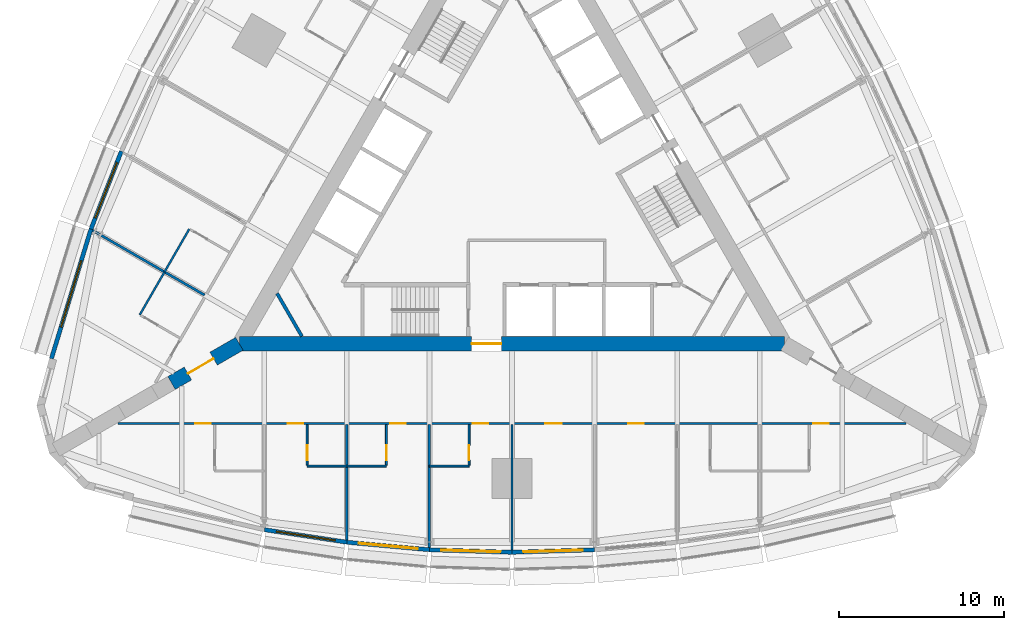
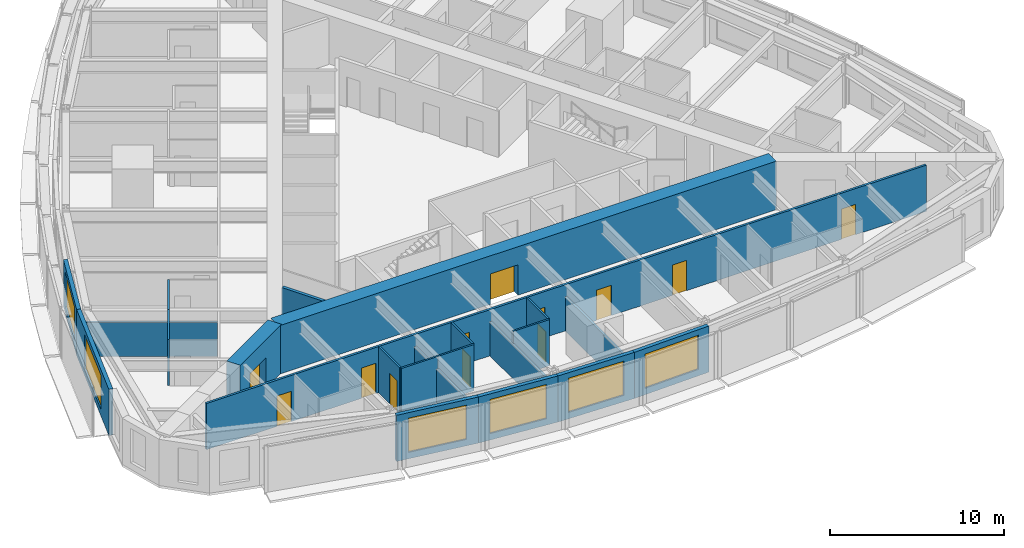
# One storey, part 8 of 14: 22 walls, 12 doors, 6 windows, 18 openings.
"""IFC4 building model written with IfcOpenShell, lengths in metres."""

from ifc_helpers import new_model, si_unit, direction, frame, frame_2d, origin, place, context, subcontext, project, spatial, rectangle, extrude, material, layer, layer_set, type_object, element, fill, save


model = new_model("IFC4")

# Units and contexts
model_context = context("Model", 3, precision=1e-05, world=origin(), true_north=direction((0.0, 1.0)))
body_context = subcontext(model_context, "Body", "Model", "MODEL_VIEW")
ifc_project = project(units=[si_unit("LENGTHUNIT", "METRE"), si_unit("AREAUNIT", "SQUARE_METRE"), si_unit("VOLUMEUNIT", "CUBIC_METRE"), si_unit("PLANEANGLEUNIT", "RADIAN"), si_unit("MASSUNIT", "GRAM", prefix="KILO")], contexts=[model_context])

# Site, building, storey
site_placement = place(None, origin())
site = spatial("IfcSite", under=ifc_project, at=site_placement, CompositionType="ELEMENT")
building_placement = place(site_placement, origin())
building = spatial("IfcBuilding", under=site, at=building_placement, Name="Trikona Tower", CompositionType="ELEMENT")
storey_placement = place(building_placement, frame((0.0, 0.0, 59.10009765625)))
storey = spatial("IfcBuildingStorey", under=building, at=storey_placement, Name="L14", CompositionType="ELEMENT", Elevation=59.10009765625)

# Wall
ifc_material_1 = material(Name="Metal stud and cement board", Category="gypsum")
ifc_layer_1 = layer(ifc_material_1, 0.1201171875)
ifc_layer_set_1 = layer_set([ifc_layer_1], Name="Bathroom wall 120")
wall_type_1 = type_object("IfcWallType", Name="Bathroom wall 120", PredefinedType="PLUMBINGWALL", material=ifc_layer_set_1)
wall_1_placement = place(storey_placement, frame((-12.39990234375, -16.92626953125, 0.0), z_axis=(0.0, 0.0, 1.0), x_axis=(1.0, 0.0, 0.0)))
element("IfcWall", 1, at=wall_1_placement, inside=storey, type_object=wall_type_1, Name="Bathroom wall 1402", PredefinedType="PLUMBINGWALL", context=body_context, shape_type="SweptSolid", body=[
    extrude(rectangle(XDim=2.39990234375, YDim=0.1201171875, at=frame_2d((1.199951171875, 0.0))), origin(), (0.0, 0.0, 1.0), 3.23486328125),
])

# Wall, opening, door
wall_2_placement = place(storey_placement, frame((-12.39990234375, -14.42626953125, 0.0), z_axis=(0.0, 0.0, 1.0), x_axis=(0.0, -1.0, 0.0)))
wall_2 = element("IfcWall", 2, at=wall_2_placement, inside=storey, type_object=wall_type_1, Name="Bathroom wall 1402", PredefinedType="PLUMBINGWALL", context=body_context, shape_type="SweptSolid", body=[
    extrude(rectangle(XDim=2.43994140625, YDim=0.1201171875, at=frame_2d((1.219970703125, 0.0))), origin(), (0.0, 0.0, 1.0), 3.23486328125),
])
opening_1_placement = place(wall_2_placement, frame((1.25, 0.0, 0.0)))
opening_1 = element("IfcOpeningElement", 3, at=opening_1_placement, cuts=wall_2, Name="Opening D2", PredefinedType="OPENING", context=body_context, shape_type="SweptSolid", body=[
    extrude(rectangle(XDim=0.89990234375, YDim=2.1298828125, at=frame_2d((0.449951171875, 1.06494140625))), frame((0.0, 0.070068359375, 0.0), z_axis=(0.0, -1.0, 0.0), x_axis=(1.0, 0.0, 0.0)), (0.0, 0.0, 1.0), 0.14013671875),
])
ifc_material_2 = material(Name="Steel door frame with solid-core timber leaf", Category="steel")
door_type_1 = type_object("IfcDoorType", Name="Bathroom door 900x2130", OperationType="SLIDING_TO_LEFT", PredefinedType="DOOR", material=ifc_material_2)
door_1_placement = place(opening_1_placement, origin())
door_1 = element("IfcDoor", 4, at=door_1_placement, inside=storey, type_object=door_type_1, Name="Bathroom door 1402", OperationType="SLIDING_TO_LEFT", OverallHeight=2.1298828125, OverallWidth=0.89990234375, PredefinedType="DOOR", context=body_context, shape_type="SweptSolid", body=[
    extrude(rectangle(XDim=0.89990234375, YDim=2.1298828125, at=frame_2d((0.449951171875, 1.06494140625))), frame((0.0, 0.02490234375, 0.0), z_axis=(0.0, -1.0, 0.0), x_axis=(1.0, 0.0, 0.0)), (0.0, 0.0, 1.0), 0.050048828125),
])
fill(opening_1, door_1)

# Wall
wall_3_placement = place(storey_placement, frame((-10.0, -16.92626953125, 0.0), z_axis=(0.0, 0.0, 1.0), x_axis=(1.0, 0.0, 0.0)))
element("IfcWall", 5, at=wall_3_placement, inside=storey, type_object=wall_type_1, Name="Bathroom wall 1403", PredefinedType="PLUMBINGWALL", context=body_context, shape_type="SweptSolid", body=[
    extrude(rectangle(XDim=2.39990234375, YDim=0.1201171875, at=frame_2d((1.199951171875, 0.0))), origin(), (0.0, 0.0, 1.0), 3.23486328125),
])

# Wall, opening, door
wall_4_placement = place(storey_placement, frame((-7.60009765625, -14.42626953125, 0.0), z_axis=(0.0, 0.0, 1.0), x_axis=(0.0, -1.0, 0.0)))
wall_4 = element("IfcWall", 6, at=wall_4_placement, inside=storey, type_object=wall_type_1, Name="Bathroom wall 1403", PredefinedType="PLUMBINGWALL", context=body_context, shape_type="SweptSolid", body=[
    extrude(rectangle(XDim=2.43994140625, YDim=0.1201171875, at=frame_2d((1.219970703125, 0.0))), origin(), (0.0, 0.0, 1.0), 3.23486328125),
])
opening_2_placement = place(wall_4_placement, frame((1.25, 0.0, 0.0)))
opening_2 = element("IfcOpeningElement", 7, at=opening_2_placement, cuts=wall_4, Name="Opening D2", PredefinedType="OPENING", context=body_context, shape_type="SweptSolid", body=[
    extrude(rectangle(XDim=0.89990234375, YDim=2.1298828125, at=frame_2d((0.449951171875, 1.06494140625))), frame((0.0, 0.070068359375, 0.0), z_axis=(0.0, -1.0, 0.0), x_axis=(1.0, 0.0, 0.0)), (0.0, 0.0, 1.0), 0.14013671875),
])
door_2_placement = place(opening_2_placement, origin())
door_2 = element("IfcDoor", 8, at=door_2_placement, inside=storey, type_object=door_type_1, Name="Bathroom door 1403", OperationType="SLIDING_TO_LEFT", OverallHeight=2.1298828125, OverallWidth=0.89990234375, PredefinedType="DOOR", context=body_context, shape_type="SweptSolid", body=[
    extrude(rectangle(XDim=0.89990234375, YDim=2.1298828125, at=frame_2d((0.449951171875, 1.06494140625))), frame((0.0, 0.02490234375, 0.0), z_axis=(0.0, -1.0, 0.0), x_axis=(1.0, 0.0, 0.0)), (0.0, 0.0, 1.0), 0.050048828125),
])
fill(opening_2, door_2)

# Wall
wall_5_placement = place(storey_placement, frame((-5.0, -16.92626953125, 0.0), z_axis=(0.0, 0.0, 1.0), x_axis=(1.0, 0.0, 0.0)))
element("IfcWall", 9, at=wall_5_placement, inside=storey, type_object=wall_type_1, Name="Bathroom wall 1404", PredefinedType="PLUMBINGWALL", context=body_context, shape_type="SweptSolid", body=[
    extrude(rectangle(XDim=2.39990234375, YDim=0.1201171875, at=frame_2d((1.199951171875, 0.0))), origin(), (0.0, 0.0, 1.0), 3.23486328125),
])

# Wall, opening, door
wall_6_placement = place(storey_placement, frame((-2.60009765625, -14.42626953125, 0.0), z_axis=(0.0, 0.0, 1.0), x_axis=(0.0, -1.0, 0.0)))
wall_6 = element("IfcWall", 10, at=wall_6_placement, inside=storey, type_object=wall_type_1, Name="Bathroom wall 1404", PredefinedType="PLUMBINGWALL", context=body_context, shape_type="SweptSolid", body=[
    extrude(rectangle(XDim=2.43994140625, YDim=0.1201171875, at=frame_2d((1.219970703125, 0.0))), origin(), (0.0, 0.0, 1.0), 3.23486328125),
])
opening_3_placement = place(wall_6_placement, frame((1.25, 0.0, 0.0)))
opening_3 = element("IfcOpeningElement", 11, at=opening_3_placement, cuts=wall_6, Name="Opening D2", PredefinedType="OPENING", context=body_context, shape_type="SweptSolid", body=[
    extrude(rectangle(XDim=0.89990234375, YDim=2.1298828125, at=frame_2d((0.449951171875, 1.06494140625))), frame((0.0, 0.070068359375, 0.0), z_axis=(0.0, -1.0, 0.0), x_axis=(1.0, 0.0, 0.0)), (0.0, 0.0, 1.0), 0.14013671875),
])
door_3_placement = place(opening_3_placement, origin())
door_3 = element("IfcDoor", 12, at=door_3_placement, inside=storey, type_object=door_type_1, Name="Bathroom door 1404", OperationType="SLIDING_TO_LEFT", OverallHeight=2.1298828125, OverallWidth=0.89990234375, PredefinedType="DOOR", context=body_context, shape_type="SweptSolid", body=[
    extrude(rectangle(XDim=0.89990234375, YDim=2.1298828125, at=frame_2d((0.449951171875, 1.06494140625))), frame((0.0, 0.02490234375, 0.0), z_axis=(0.0, -1.0, 0.0), x_axis=(1.0, 0.0, 0.0)), (0.0, 0.0, 1.0), 0.050048828125),
])
fill(opening_3, door_3)

# Walls
for number, where, z_axis, x_axis, name in (
    (13, (-19.53271484375, -2.5791015625, 0.0), (0.0, 0.0, 1.0), (-0.499990139034, -0.866031096941, 0.0), "Bathroom wall 1416.1"),
    (14, (-21.03271484375, -5.17724609375, 0.0), (0.0, 0.0, 1.0), (-0.499990139034, -0.866031096941, 0.0), "Bathroom wall 1417"),
):
    element("IfcWall", number, at=place(storey_placement, frame(where, z_axis=z_axis, x_axis=x_axis)), inside=storey, type_object=wall_type_1, Name=name, PredefinedType="PLUMBINGWALL", context=body_context, shape_type="SweptSolid", body=[
        extrude(rectangle(XDim=3.0, YDim=0.1201171875, at=frame_2d((1.5, 0.0))), origin(), (0.0, 0.0, 1.0), 3.23486328125),
    ])

# Wall, opening, door
ifc_material_3 = material(Name="Concrete f'c 10000 psi", Category="concrete")
ifc_layer_2 = layer(ifc_material_3, 0.89990234375)
ifc_layer_set_2 = layer_set([ifc_layer_2], Name="Buttress wall 900")
wall_type_2 = type_object("IfcWallType", Name="Buttress wall 900", PredefinedType="SHEAR", material=ifc_layer_set_2)
wall_7_placement = place(storey_placement, frame((-16.5, -9.5263671875, 0.0), z_axis=(0.0, 0.0, 1.0), x_axis=(-0.866031398331, -0.499989616998, 0.0)))
wall_7 = element("IfcWall", 15, at=wall_7_placement, inside=storey, type_object=wall_type_2, Name="Buttress wall 3", PredefinedType="SHEAR", context=body_context, shape_type="SweptSolid", body=[
    extrude(rectangle(XDim=4.74609375, YDim=0.89990234375, at=frame_2d((2.373046875, 0.0))), origin(), (0.0, 0.0, 1.0), 3.39990234375),
])
opening_4_placement = place(wall_7_placement, frame((1.800048828125, 0.0, 0.0)))
opening_4 = element("IfcOpeningElement", 16, at=opening_4_placement, cuts=wall_7, Name="Opening D10", PredefinedType="OPENING", context=body_context, shape_type="SweptSolid", body=[
    extrude(rectangle(XDim=1.800048828125, YDim=2.1298828125, at=frame_2d((0.89990234375, 1.06494140625))), frame((0.0, 0.4599609375, 0.0), z_axis=(0.0, -1.0, 0.0), x_axis=(1.0, 0.0, 0.0)), (0.0, 0.0, 1.0), 0.919921875),
])
ifc_material_4 = material(Name="Hollow metal door and frame", Category="steel")
door_type_2 = type_object("IfcDoorType", Name="Cross-corridor door pair 1800x2130", OperationType="DOUBLE_DOOR_DOUBLE_SWING", PredefinedType="DOOR", material=ifc_material_4)
door_4_placement = place(opening_4_placement, origin())
door_4 = element("IfcDoor", 17, at=door_4_placement, inside=storey, type_object=door_type_2, Name="Cross-corridor door 3", OperationType="DOUBLE_DOOR_DOUBLE_SWING", OverallHeight=2.1298828125, OverallWidth=1.800048828125, PredefinedType="DOOR", context=body_context, shape_type="SweptSolid", body=[
    extrude(rectangle(XDim=1.800048828125, YDim=2.1298828125, at=frame_2d((0.89990234375, 1.06494140625))), frame((0.0, 0.02490234375, 0.0), z_axis=(0.0, -1.0, 0.0), x_axis=(1.0, 0.0, 0.0)), (0.0, 0.0, 1.0), 0.050048828125),
])
fill(opening_4, door_4)

ifc_material_5 = material(Name="Concrete f'c 10000 psi", Category="concrete")
ifc_layer_3 = layer(ifc_material_5, 0.89990234375)
ifc_layer_set_3 = layer_set([ifc_layer_3], Name="Core wall 900")
wall_type_3 = type_object("IfcWallType", Name="Core wall 900", PredefinedType="SHEAR", material=ifc_layer_set_3)
wall_8_placement = place(storey_placement, frame((-16.5, -9.5263671875, 0.0), z_axis=(0.0, 0.0, 1.0), x_axis=(1.0, 0.0, 0.0)))
wall_8 = element("IfcWall", 18, at=wall_8_placement, inside=storey, type_object=wall_type_3, Name="Core wall A", PredefinedType="SHEAR", context=body_context, shape_type="SweptSolid", body=[
    extrude(rectangle(XDim=33.0, YDim=0.89990234375, at=frame_2d((16.5, 0.0))), origin(), (0.0, 0.0, 1.0), 3.39990234375),
])
opening_5_placement = place(wall_8_placement, frame((14.050048828125, 0.0, 0.0)))
opening_5 = element("IfcOpeningElement", 19, at=opening_5_placement, cuts=wall_8, Name="Opening D6", PredefinedType="OPENING", context=body_context, shape_type="SweptSolid", body=[
    extrude(rectangle(XDim=1.800048828125, YDim=2.1298828125, at=frame_2d((0.89990234375, 1.06494140625))), frame((0.0, 0.4599609375, 0.0), z_axis=(0.0, -1.0, 0.0), x_axis=(1.0, 0.0, 0.0)), (0.0, 0.0, 1.0), 0.919921875),
])
ifc_material_6 = material(Name="Hollow metal door and frame", Category="steel")
door_type_3 = type_object("IfcDoorType", Name="Lobby door pair 1800x2130", OperationType="DOUBLE_DOOR_SINGLE_SWING", PredefinedType="DOOR", material=ifc_material_6)
door_5_placement = place(opening_5_placement, origin())
door_5 = element("IfcDoor", 20, at=door_5_placement, inside=storey, type_object=door_type_3, Name="Fire service lift lobby door", OperationType="DOUBLE_DOOR_SINGLE_SWING", OverallHeight=2.1298828125, OverallWidth=1.800048828125, PredefinedType="DOOR", context=body_context, shape_type="SweptSolid", body=[
    extrude(rectangle(XDim=1.800048828125, YDim=2.1298828125, at=frame_2d((0.89990234375, 1.06494140625))), frame((0.0, 0.02490234375, 0.0), z_axis=(0.0, -1.0, 0.0), x_axis=(1.0, 0.0, 0.0)), (0.0, 0.0, 1.0), 0.050048828125),
])
fill(opening_5, door_5)

# Wall, openings, doors
ifc_material_7 = material(Name="Metal stud and gypsum board, 1-hour", Category="gypsum")
ifc_layer_4 = layer(ifc_material_7, 0.14990234375)
ifc_layer_set_4 = layer_set([ifc_layer_4], Name="Corridor wall 150")
wall_type_4 = type_object("IfcWallType", Name="Corridor wall 150", PredefinedType="PARTITIONING", material=ifc_layer_set_4)
wall_9_placement = place(storey_placement, frame((-23.857177734375, -14.351318359375, 0.0), z_axis=(0.0, 0.0, 1.0), x_axis=(1.0, 0.0, 0.0)))
wall_9 = element("IfcWall", 21, at=wall_9_placement, inside=storey, type_object=wall_type_4, Name="Corridor wall L14-1", PredefinedType="PARTITIONING", context=body_context, shape_type="SweptSolid", body=[
    extrude(rectangle(XDim=47.71435546875, YDim=0.14990234375, at=frame_2d((23.857177734375, 0.0))), origin(), (0.0, 0.0, 1.0), 3.23486328125),
])
opening_6_placement = place(wall_9_placement, frame((4.68212890625, 0.0, 0.0)))
opening_6 = element("IfcOpeningElement", 22, at=opening_6_placement, cuts=wall_9, Name="Opening D1", PredefinedType="OPENING", context=body_context, shape_type="SweptSolid", body=[
    extrude(rectangle(XDim=0.949951171875, YDim=2.1298828125, at=frame_2d((0.47509765625, 1.06494140625))), frame((0.0, 0.0849609375, 0.0), z_axis=(0.0, -1.0, 0.0), x_axis=(1.0, 0.0, 0.0)), (0.0, 0.0, 1.0), 0.169921875),
])
opening_7_placement = place(wall_9_placement, frame((10.281982421875, 0.0, 0.0)))
opening_7 = element("IfcOpeningElement", 23, at=opening_7_placement, cuts=wall_9, Name="Opening D1", PredefinedType="OPENING", context=body_context, shape_type="SweptSolid", body=[
    extrude(rectangle(XDim=0.949951171875, YDim=2.1298828125, at=frame_2d((0.47509765625, 1.06494140625))), frame((0.0, 0.0849609375, 0.0), z_axis=(0.0, -1.0, 0.0), x_axis=(1.0, 0.0, 0.0)), (0.0, 0.0, 1.0), 0.169921875),
])
opening_8_placement = place(wall_9_placement, frame((16.482177734375, 0.0, 0.0)))
opening_8 = element("IfcOpeningElement", 24, at=opening_8_placement, cuts=wall_9, Name="Opening D1", PredefinedType="OPENING", context=body_context, shape_type="SweptSolid", body=[
    extrude(rectangle(XDim=0.949951171875, YDim=2.1298828125, at=frame_2d((0.47509765625, 1.06494140625))), frame((0.0, 0.0849609375, 0.0), z_axis=(0.0, -1.0, 0.0), x_axis=(1.0, 0.0, 0.0)), (0.0, 0.0, 1.0), 0.169921875),
])
opening_9_placement = place(wall_9_placement, frame((21.482177734375, 0.0, 0.0)))
opening_9 = element("IfcOpeningElement", 25, at=opening_9_placement, cuts=wall_9, Name="Opening D1", PredefinedType="OPENING", context=body_context, shape_type="SweptSolid", body=[
    extrude(rectangle(XDim=0.949951171875, YDim=2.1298828125, at=frame_2d((0.47509765625, 1.06494140625))), frame((0.0, 0.0849609375, 0.0), z_axis=(0.0, -1.0, 0.0), x_axis=(1.0, 0.0, 0.0)), (0.0, 0.0, 1.0), 0.169921875),
])
opening_10_placement = place(wall_9_placement, frame((25.857177734375, 0.0, 0.0)))
opening_10 = element("IfcOpeningElement", 26, at=opening_10_placement, cuts=wall_9, Name="Opening D3", PredefinedType="OPENING", context=body_context, shape_type="SweptSolid", body=[
    extrude(rectangle(XDim=1.0, YDim=2.1298828125, at=frame_2d((0.5, 1.06494140625))), frame((0.0, 0.0849609375, 0.0), z_axis=(0.0, -1.0, 0.0), x_axis=(1.0, 0.0, 0.0)), (0.0, 0.0, 1.0), 0.169921875),
])
opening_11_placement = place(wall_9_placement, frame((30.882080078125, 0.0, 0.0)))
opening_11 = element("IfcOpeningElement", 27, at=opening_11_placement, cuts=wall_9, Name="Opening D1", PredefinedType="OPENING", context=body_context, shape_type="SweptSolid", body=[
    extrude(rectangle(XDim=0.949951171875, YDim=2.1298828125, at=frame_2d((0.47509765625, 1.06494140625))), frame((0.0, 0.0849609375, 0.0), z_axis=(0.0, -1.0, 0.0), x_axis=(1.0, 0.0, 0.0)), (0.0, 0.0, 1.0), 0.169921875),
])
opening_12_placement = place(wall_9_placement, frame((42.08203125, 0.0, 0.0)))
opening_12 = element("IfcOpeningElement", 28, at=opening_12_placement, cuts=wall_9, Name="Opening D1", PredefinedType="OPENING", context=body_context, shape_type="SweptSolid", body=[
    extrude(rectangle(XDim=0.949951171875, YDim=2.1298828125, at=frame_2d((0.47509765625, 1.06494140625))), frame((0.0, 0.0849609375, 0.0), z_axis=(0.0, -1.0, 0.0), x_axis=(1.0, 0.0, 0.0)), (0.0, 0.0, 1.0), 0.169921875),
])
ifc_material_8 = material(Name="Steel door frame with solid-core timber leaf", Category="steel")
door_type_4 = type_object("IfcDoorType", Name="Guest room door 950x2130", OperationType="SINGLE_SWING_LEFT", PredefinedType="DOOR", material=ifc_material_8)
door_6_placement = place(opening_6_placement, origin())
door_6 = element("IfcDoor", 29, at=door_6_placement, inside=storey, type_object=door_type_4, Name="Room door 1401", OperationType="SINGLE_SWING_LEFT", OverallHeight=2.1298828125, OverallWidth=0.949951171875, PredefinedType="DOOR", context=body_context, shape_type="SweptSolid", body=[
    extrude(rectangle(XDim=0.949951171875, YDim=2.1298828125, at=frame_2d((0.47509765625, 1.06494140625))), frame((0.0, 0.02490234375, 0.0), z_axis=(0.0, -1.0, 0.0), x_axis=(1.0, 0.0, 0.0)), (0.0, 0.0, 1.0), 0.050048828125),
])
fill(opening_6, door_6)
door_7_placement = place(opening_7_placement, origin())
door_7 = element("IfcDoor", 30, at=door_7_placement, inside=storey, type_object=door_type_4, Name="Room door 1402", OperationType="SINGLE_SWING_RIGHT", OverallHeight=2.1298828125, OverallWidth=0.949951171875, PredefinedType="DOOR", context=body_context, shape_type="SweptSolid", body=[
    extrude(rectangle(XDim=0.949951171875, YDim=2.1298828125, at=frame_2d((0.47509765625, 1.06494140625))), frame((0.0, 0.02490234375, 0.0), z_axis=(0.0, -1.0, 0.0), x_axis=(1.0, 0.0, 0.0)), (0.0, 0.0, 1.0), 0.050048828125),
])
fill(opening_7, door_7)
door_8_placement = place(opening_8_placement, origin())
door_8 = element("IfcDoor", 31, at=door_8_placement, inside=storey, type_object=door_type_4, Name="Room door 1403", OperationType="SINGLE_SWING_LEFT", OverallHeight=2.1298828125, OverallWidth=0.949951171875, PredefinedType="DOOR", context=body_context, shape_type="SweptSolid", body=[
    extrude(rectangle(XDim=0.949951171875, YDim=2.1298828125, at=frame_2d((0.47509765625, 1.06494140625))), frame((0.0, 0.02490234375, 0.0), z_axis=(0.0, -1.0, 0.0), x_axis=(1.0, 0.0, 0.0)), (0.0, 0.0, 1.0), 0.050048828125),
])
fill(opening_8, door_8)
door_9_placement = place(opening_9_placement, origin())
door_9 = element("IfcDoor", 32, at=door_9_placement, inside=storey, type_object=door_type_4, Name="Room door 1404", OperationType="SINGLE_SWING_RIGHT", OverallHeight=2.1298828125, OverallWidth=0.949951171875, PredefinedType="DOOR", context=body_context, shape_type="SweptSolid", body=[
    extrude(rectangle(XDim=0.949951171875, YDim=2.1298828125, at=frame_2d((0.47509765625, 1.06494140625))), frame((0.0, 0.02490234375, 0.0), z_axis=(0.0, -1.0, 0.0), x_axis=(1.0, 0.0, 0.0)), (0.0, 0.0, 1.0), 0.050048828125),
])
fill(opening_9, door_9)
door_10_placement = place(opening_11_placement, origin())
door_10 = element("IfcDoor", 33, at=door_10_placement, inside=storey, type_object=door_type_4, Name="Room door 1405", OperationType="SINGLE_SWING_RIGHT", OverallHeight=2.1298828125, OverallWidth=0.949951171875, PredefinedType="DOOR", context=body_context, shape_type="SweptSolid", body=[
    extrude(rectangle(XDim=0.949951171875, YDim=2.1298828125, at=frame_2d((0.47509765625, 1.06494140625))), frame((0.0, 0.02490234375, 0.0), z_axis=(0.0, -1.0, 0.0), x_axis=(1.0, 0.0, 0.0)), (0.0, 0.0, 1.0), 0.050048828125),
])
fill(opening_11, door_10)
door_11_placement = place(opening_12_placement, origin())
door_11 = element("IfcDoor", 34, at=door_11_placement, inside=storey, type_object=door_type_4, Name="Room door 1406", OperationType="SINGLE_SWING_LEFT", OverallHeight=2.1298828125, OverallWidth=0.949951171875, PredefinedType="DOOR", context=body_context, shape_type="SweptSolid", body=[
    extrude(rectangle(XDim=0.949951171875, YDim=2.1298828125, at=frame_2d((0.47509765625, 1.06494140625))), frame((0.0, 0.02490234375, 0.0), z_axis=(0.0, -1.0, 0.0), x_axis=(1.0, 0.0, 0.0)), (0.0, 0.0, 1.0), 0.050048828125),
])
fill(opening_12, door_11)
ifc_material_9 = material(Name="Steel door frame with solid-core timber leaf", Category="steel")
door_type_5 = type_object("IfcDoorType", Name="Room door 1000x2130", OperationType="SINGLE_SWING_LEFT", PredefinedType="DOOR", material=ifc_material_9)
door_12_placement = place(opening_10_placement, origin())
door_12 = element("IfcDoor", 35, at=door_12_placement, inside=storey, type_object=door_type_5, Name="Door Housekeeping pantry", OperationType="SINGLE_SWING_LEFT", OverallHeight=2.1298828125, OverallWidth=1.0, PredefinedType="DOOR", context=body_context, shape_type="SweptSolid", body=[
    extrude(rectangle(XDim=1.0, YDim=2.1298828125, at=frame_2d((0.5, 1.06494140625))), frame((0.0, 0.02490234375, 0.0), z_axis=(0.0, -1.0, 0.0), x_axis=(1.0, 0.0, 0.0)), (0.0, 0.0, 1.0), 0.050048828125),
])
fill(opening_10, door_12)

# Wall, opening, window
ifc_material_10 = material(Name="Insulated precast concrete spandrel panel", Category="concrete")
ifc_layer_5 = layer(ifc_material_10, 0.25)
ifc_layer_set_5 = layer_set([ifc_layer_5], Name="Inner skin wall 250")
wall_type_5 = type_object("IfcWallType", Name="Inner skin wall 250", PredefinedType="STANDARD", material=ifc_layer_set_5)
wall_10_placement = place(storey_placement, frame((-14.981201171875, -20.779296875, 0.0), z_axis=(0.0, 0.0, 1.0), x_axis=(0.988615403399, -0.150464561152, 0.0)))
wall_10 = element("IfcWall", 36, at=wall_10_placement, inside=storey, type_object=wall_type_5, Name="External wall L14-01", PredefinedType="STANDARD", context=body_context, shape_type="SweptSolid", body=[
    extrude(rectangle(XDim=5.0576171875, YDim=0.25, at=frame_2d((2.52880859375, 0.0))), origin(), (0.0, 0.0, 1.0), 3.23486328125),
])
opening_13_placement = place(wall_10_placement, frame((0.728759765625, 0.0, 0.449951171875)))
opening_13 = element("IfcOpeningElement", 37, at=opening_13_placement, cuts=wall_10, Name="Opening W3624", PredefinedType="OPENING", context=body_context, shape_type="SweptSolid", body=[
    extrude(rectangle(XDim=3.60009765625, YDim=2.39990234375, at=frame_2d((1.800048828125, 1.199951171875))), frame((0.0, 0.135009765625, 0.0), z_axis=(0.0, -1.0, 0.0), x_axis=(1.0, 0.0, 0.0)), (0.0, 0.0, 1.0), 0.27001953125),
])
ifc_material_11 = material(Name="Aluminium-framed double glazing", Category="aluminium")
window_type_1 = type_object("IfcWindowType", Name="Window 3600x2400", PartitioningType="SINGLE_PANEL", PredefinedType="WINDOW", material=ifc_material_11)
window_1_placement = place(opening_13_placement, origin())
window_1 = element("IfcWindow", 38, at=window_1_placement, inside=storey, type_object=window_type_1, Name="Window 1402", OverallHeight=2.39990234375, OverallWidth=3.60009765625, PartitioningType="SINGLE_PANEL", PredefinedType="WINDOW", context=body_context, shape_type="SweptSolid", body=[
    extrude(rectangle(XDim=3.60009765625, YDim=2.39990234375, at=frame_2d((1.800048828125, 1.199951171875))), frame((0.0, 0.030029296875, 0.0), z_axis=(0.0, -1.0, 0.0), x_axis=(1.0, 0.0, 0.0)), (0.0, 0.0, 1.0), 0.06005859375),
])
fill(opening_13, window_1)

wall_11_placement = place(storey_placement, frame((-9.988525390625, -21.539306640625, 0.0), z_axis=(0.0, 0.0, 1.0), x_axis=(0.995857256774, -0.090930325692, 0.0)))
wall_11 = element("IfcWall", 39, at=wall_11_placement, inside=storey, type_object=wall_type_5, Name="External wall L14-02", PredefinedType="STANDARD", context=body_context, shape_type="SweptSolid", body=[
    extrude(rectangle(XDim=5.020751953125, YDim=0.25, at=frame_2d((2.51025390625, 0.0))), origin(), (0.0, 0.0, 1.0), 3.23486328125),
])
opening_14_placement = place(wall_11_placement, frame((0.71044921875, 0.0, 0.449951171875)))
opening_14 = element("IfcOpeningElement", 40, at=opening_14_placement, cuts=wall_11, Name="Opening W3624", PredefinedType="OPENING", context=body_context, shape_type="SweptSolid", body=[
    extrude(rectangle(XDim=3.60009765625, YDim=2.39990234375, at=frame_2d((1.800048828125, 1.199951171875))), frame((0.0, 0.135009765625, 0.0), z_axis=(0.0, -1.0, 0.0), x_axis=(1.0, 0.0, 0.0)), (0.0, 0.0, 1.0), 0.27001953125),
])
window_2_placement = place(opening_14_placement, origin())
window_2 = element("IfcWindow", 41, at=window_2_placement, inside=storey, type_object=window_type_1, Name="Window 1403", OverallHeight=2.39990234375, OverallWidth=3.60009765625, PartitioningType="SINGLE_PANEL", PredefinedType="WINDOW", context=body_context, shape_type="SweptSolid", body=[
    extrude(rectangle(XDim=3.60009765625, YDim=2.39990234375, at=frame_2d((1.800048828125, 1.199951171875))), frame((0.0, 0.030029296875, 0.0), z_axis=(0.0, -1.0, 0.0), x_axis=(1.0, 0.0, 0.0)), (0.0, 0.0, 1.0), 0.06005859375),
])
fill(opening_14, window_2)

wall_12_placement = place(storey_placement, frame((-4.99609375, -21.99560546875, 0.0), z_axis=(0.0, 0.0, 1.0), x_axis=(0.999537635046, -0.030405856769, 0.0)))
wall_12 = element("IfcWall", 42, at=wall_12_placement, inside=storey, type_object=wall_type_5, Name="External wall L14-03", PredefinedType="STANDARD", context=body_context, shape_type="SweptSolid", body=[
    extrude(rectangle(XDim=5.002197265625, YDim=0.25, at=frame_2d((2.5009765625, 0.0))), origin(), (0.0, 0.0, 1.0), 3.23486328125),
])
opening_15_placement = place(wall_12_placement, frame((0.701171875, 0.0, 0.449951171875)))
opening_15 = element("IfcOpeningElement", 43, at=opening_15_placement, cuts=wall_12, Name="Opening W3624", PredefinedType="OPENING", context=body_context, shape_type="SweptSolid", body=[
    extrude(rectangle(XDim=3.60009765625, YDim=2.39990234375, at=frame_2d((1.800048828125, 1.199951171875))), frame((0.0, 0.135009765625, 0.0), z_axis=(0.0, -1.0, 0.0), x_axis=(1.0, 0.0, 0.0)), (0.0, 0.0, 1.0), 0.27001953125),
])
window_3_placement = place(opening_15_placement, origin())
window_3 = element("IfcWindow", 44, at=window_3_placement, inside=storey, type_object=window_type_1, Name="Window 1404", OverallHeight=2.39990234375, OverallWidth=3.60009765625, PartitioningType="SINGLE_PANEL", PredefinedType="WINDOW", context=body_context, shape_type="SweptSolid", body=[
    extrude(rectangle(XDim=3.60009765625, YDim=2.39990234375, at=frame_2d((1.800048828125, 1.199951171875))), frame((0.0, 0.030029296875, 0.0), z_axis=(0.0, -1.0, 0.0), x_axis=(1.0, 0.0, 0.0)), (0.0, 0.0, 1.0), 0.06005859375),
])
fill(opening_15, window_3)

wall_13_placement = place(storey_placement, frame((-0.00390625, -22.147705078125, 0.0), z_axis=(0.0, 0.0, 1.0), x_axis=(0.999537635046, 0.030405856769, 0.0)))
wall_13 = element("IfcWall", 45, at=wall_13_placement, inside=storey, type_object=wall_type_5, Name="External wall L14-04", PredefinedType="STANDARD", context=body_context, shape_type="SweptSolid", body=[
    extrude(rectangle(XDim=5.002197265625, YDim=0.25, at=frame_2d((2.5009765625, 0.0))), origin(), (0.0, 0.0, 1.0), 3.23486328125),
])
opening_16_placement = place(wall_13_placement, frame((0.701171875, 0.0, 0.449951171875)))
opening_16 = element("IfcOpeningElement", 46, at=opening_16_placement, cuts=wall_13, Name="Opening W3624", PredefinedType="OPENING", context=body_context, shape_type="SweptSolid", body=[
    extrude(rectangle(XDim=3.60009765625, YDim=2.39990234375, at=frame_2d((1.800048828125, 1.199951171875))), frame((0.0, 0.135009765625, 0.0), z_axis=(0.0, -1.0, 0.0), x_axis=(1.0, 0.0, 0.0)), (0.0, 0.0, 1.0), 0.27001953125),
])
window_4_placement = place(opening_16_placement, origin())
window_4 = element("IfcWindow", 47, at=window_4_placement, inside=storey, type_object=window_type_1, Name="Window L14-HKP", OverallHeight=2.39990234375, OverallWidth=3.60009765625, PartitioningType="SINGLE_PANEL", PredefinedType="WINDOW", context=body_context, shape_type="SweptSolid", body=[
    extrude(rectangle(XDim=3.60009765625, YDim=2.39990234375, at=frame_2d((1.800048828125, 1.199951171875))), frame((0.0, 0.030029296875, 0.0), z_axis=(0.0, -1.0, 0.0), x_axis=(1.0, 0.0, 0.0)), (0.0, 0.0, 1.0), 0.06005859375),
])
fill(opening_16, window_4)

wall_14_placement = place(storey_placement, frame((-23.64501953125, 2.126220703125, 0.0), z_axis=(0.0, 0.0, 1.0), x_axis=(-0.364013463868, -0.931393685894, 0.0)))
wall_14 = element("IfcWall", 48, at=wall_14_placement, inside=storey, type_object=wall_type_5, Name="External wall L14-30", PredefinedType="STANDARD", context=body_context, shape_type="SweptSolid", body=[
    extrude(rectangle(XDim=5.0576171875, YDim=0.25, at=frame_2d((2.52880859375, 0.0))), origin(), (0.0, 0.0, 1.0), 3.23486328125),
])
opening_17_placement = place(wall_14_placement, frame((0.728759765625, 0.0, 0.449951171875)))
opening_17 = element("IfcOpeningElement", 49, at=opening_17_placement, cuts=wall_14, Name="Opening W3624", PredefinedType="OPENING", context=body_context, shape_type="SweptSolid", body=[
    extrude(rectangle(XDim=3.60009765625, YDim=2.39990234375, at=frame_2d((1.800048828125, 1.199951171875))), frame((0.0, 0.135009765625, 0.0), z_axis=(0.0, -1.0, 0.0), x_axis=(1.0, 0.0, 0.0)), (0.0, 0.0, 1.0), 0.27001953125),
])
window_5_placement = place(opening_17_placement, origin())
window_5 = element("IfcWindow", 50, at=window_5_placement, inside=storey, type_object=window_type_1, Name="Window 1416.1", OverallHeight=2.39990234375, OverallWidth=3.60009765625, PartitioningType="SINGLE_PANEL", PredefinedType="WINDOW", context=body_context, shape_type="SweptSolid", body=[
    extrude(rectangle(XDim=3.60009765625, YDim=2.39990234375, at=frame_2d((1.800048828125, 1.199951171875))), frame((0.0, 0.030029296875, 0.0), z_axis=(0.0, -1.0, 0.0), x_axis=(1.0, 0.0, 0.0)), (0.0, 0.0, 1.0), 0.06005859375),
])
fill(opening_17, window_5)

wall_15_placement = place(storey_placement, frame((-25.48291015625, -2.575439453125, 0.0), z_axis=(0.0, 0.0, 1.0), x_axis=(-0.2919790669, -0.956424709265, 0.0)))
wall_15 = element("IfcWall", 51, at=wall_15_placement, inside=storey, type_object=wall_type_5, Name="External wall L14-31", PredefinedType="STANDARD", context=body_context, shape_type="SweptSolid", body=[
    extrude(rectangle(XDim=8.211181640625, YDim=0.25, at=frame_2d((4.10546875, 0.0))), origin(), (0.0, 0.0, 1.0), 3.23486328125),
])
opening_18_placement = place(wall_15_placement, frame((2.005615234375, 0.0, 0.449951171875)))
opening_18 = element("IfcOpeningElement", 52, at=opening_18_placement, cuts=wall_15, Name="Opening W4224", PredefinedType="OPENING", context=body_context, shape_type="SweptSolid", body=[
    extrude(rectangle(XDim=4.199951171875, YDim=2.39990234375, at=frame_2d((2.10009765625, 1.199951171875))), frame((0.0, 0.135009765625, 0.0), z_axis=(0.0, -1.0, 0.0), x_axis=(1.0, 0.0, 0.0)), (0.0, 0.0, 1.0), 0.27001953125),
])
ifc_material_12 = material(Name="Aluminium-framed double glazing", Category="aluminium")
window_type_2 = type_object("IfcWindowType", Name="Window 4200x2400", PartitioningType="SINGLE_PANEL", PredefinedType="WINDOW", material=ifc_material_12)
window_6_placement = place(opening_18_placement, origin())
window_6 = element("IfcWindow", 53, at=window_6_placement, inside=storey, type_object=window_type_2, Name="Window 1417", OverallHeight=2.39990234375, OverallWidth=4.199951171875, PartitioningType="SINGLE_PANEL", PredefinedType="WINDOW", context=body_context, shape_type="SweptSolid", body=[
    extrude(rectangle(XDim=4.199951171875, YDim=2.39990234375, at=frame_2d((2.10009765625, 1.199951171875))), frame((0.0, 0.030029296875, 0.0), z_axis=(0.0, -1.0, 0.0), x_axis=(1.0, 0.0, 0.0)), (0.0, 0.0, 1.0), 0.06005859375),
])
fill(opening_18, window_6)

# Walls
ifc_material_13 = material(Name="Metal stud and gypsum board, 1-hour acoustic", Category="gypsum")
ifc_layer_6 = layer(ifc_material_13, 0.14990234375)
ifc_layer_set_6 = layer_set([ifc_layer_6], Name="Party wall 150")
wall_type_6 = type_object("IfcWallType", Name="Party wall 150", PredefinedType="PARTITIONING", material=ifc_layer_set_6)
wall_16_placement = place(storey_placement, frame((-10.0, -14.42626953125, 0.0), z_axis=(0.0, 0.0, 1.0), x_axis=(0.0, -1.0, 0.0)))
element("IfcWall", 54, at=wall_16_placement, inside=storey, type_object=wall_type_6, Name="Partition L14 F1 u-10", PredefinedType="PARTITIONING", context=body_context, shape_type="SweptSolid", body=[
    extrude(rectangle(XDim=6.984619140625, YDim=0.14990234375, at=frame_2d((3.4921875, 0.0))), origin(), (0.0, 0.0, 1.0), 2.38916015625),
])
wall_17_placement = place(storey_placement, frame((-5.0, -14.42626953125, 0.0), z_axis=(0.0, 0.0, 1.0), x_axis=(0.0, -1.0, 0.0)))
element("IfcWall", 55, at=wall_17_placement, inside=storey, type_object=wall_type_6, Name="Partition L14 F1 u-5", PredefinedType="PARTITIONING", context=body_context, shape_type="SweptSolid", body=[
    extrude(rectangle(XDim=7.443115234375, YDim=0.14990234375, at=frame_2d((3.7216796875, 0.0))), origin(), (0.0, 0.0, 1.0), 2.38916015625),
])
wall_18_placement = place(storey_placement, frame((0.0, -14.42626953125, 0.0), z_axis=(0.0, 0.0, 1.0), x_axis=(0.0, -1.0, 0.0)))
element("IfcWall", 56, at=wall_18_placement, inside=storey, type_object=wall_type_6, Name="Partition L14 F1 u-1.03538e-30", PredefinedType="PARTITIONING", context=body_context, shape_type="SweptSolid", body=[
    extrude(rectangle(XDim=7.59619140625, YDim=0.14990234375, at=frame_2d((3.798095703125, 0.0))), origin(), (0.0, 0.0, 1.0), 2.38916015625),
])
wall_19_placement = place(storey_placement, frame((-18.60791015625, -6.5771484375, 0.0), z_axis=(0.0, 0.0, 1.0), x_axis=(-0.866034818847, 0.499983692279, 0.0)))
element("IfcWall", 57, at=wall_19_placement, inside=storey, type_object=wall_type_6, Name="Partition L14 F3 u15", PredefinedType="PARTITIONING", context=body_context, shape_type="SweptSolid", body=[
    extrude(rectangle(XDim=7.820068359375, YDim=0.14990234375, at=frame_2d((3.91015625, 0.0))), origin(), (0.0, 0.0, 1.0), 2.38916015625),
])
ifc_material_14 = material(Name="Concrete f'c 8000 psi", Category="concrete")
ifc_layer_7 = layer(ifc_material_14, 0.199951171875)
ifc_layer_set_7 = layer_set([ifc_layer_7], Name="Shaft wall 200")
wall_type_7 = type_object("IfcWallType", Name="Shaft wall 200", PredefinedType="SOLIDWALL", material=ifc_layer_set_7)
wall_20_placement = place(storey_placement, frame((-12.718505859375, -9.076416015625, 0.0), z_axis=(0.0, 0.0, 1.0), x_axis=(-0.499952404951, 0.866052881055, 0.0)))
element("IfcWall", 58, at=wall_20_placement, inside=storey, type_object=wall_type_7, Name="Riser wall L14-RS3", PredefinedType="SOLIDWALL", context=body_context, shape_type="SweptSolid", body=[
    extrude(rectangle(XDim=3.002197265625, YDim=0.199951171875, at=frame_2d((1.5009765625, 0.0))), origin(), (0.0, 0.0, 1.0), 3.23486328125),
])

save(model, "model.ifc")
